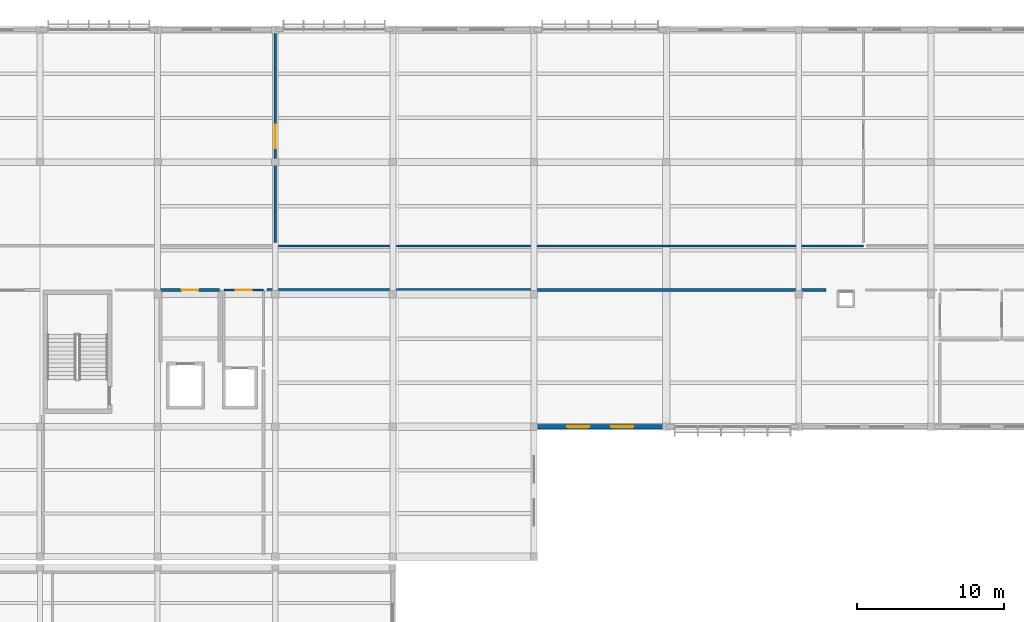
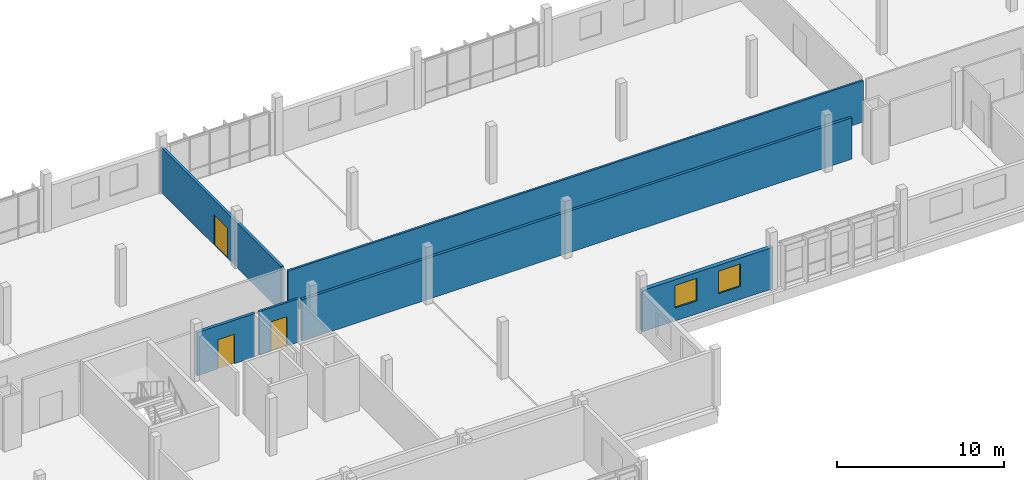
# One storey, part 168 of 182: 6 walls, 3 doors, 2 windows, 5 openings.
"""IFC4 building model written with IfcOpenShell, lengths in metres."""

from ifc_helpers import new_model, si_unit, direction, frame, frame_2d, origin, place, context, subcontext, project, spatial, rectangle, extrude, material, layer, layer_set, type_object, element, fill, save


model = new_model("IFC4")

# Units and contexts
model_context = context("Model", 3, precision=1e-05, world=origin(), true_north=direction((0.0, 1.0)))
body_context = subcontext(model_context, "Body", "Model", "MODEL_VIEW")
ifc_project = project(units=[si_unit("LENGTHUNIT", "METRE"), si_unit("AREAUNIT", "SQUARE_METRE"), si_unit("VOLUMEUNIT", "CUBIC_METRE"), si_unit("PLANEANGLEUNIT", "RADIAN"), si_unit("MASSUNIT", "GRAM", prefix="KILO")], contexts=[model_context])

# Site, building, storey
site_placement = place(None, origin())
site = spatial("IfcSite", under=ifc_project, at=site_placement, CompositionType="ELEMENT")
building_placement = place(site_placement, origin())
building = spatial("IfcBuilding", under=site, at=building_placement, Name="Chiffa Square Polytechnic", CompositionType="ELEMENT")
storey_placement = place(building_placement, frame((0.0, 0.0, 9.60009765625)))
storey = spatial("IfcBuildingStorey", under=building, at=storey_placement, Name="L02", CompositionType="ELEMENT", Elevation=9.60009765625)

# Wall, openings, windows
ifc_material_1 = material(Name="Precast concrete C40/50", Category="concrete")
ifc_layer_1 = layer(ifc_material_1, 0.280029296875, Name="Precast concrete C40/50")
ifc_layer_set_1 = layer_set([ifc_layer_1], Name="Precast concrete C40/50")
wall_type_1 = type_object("IfcWallType", Name="WL-EXT-PC280", PredefinedType="SOLIDWALL", material=ifc_layer_set_1)
wall_1_placement = place(storey_placement, frame((57.60009765625, 103.800048828125, 0.0), z_axis=(0.0, 0.0, 1.0), x_axis=(1.0, 0.0, 0.0)))
wall_1 = element("IfcWall", 1, at=wall_1_placement, inside=storey, type_object=wall_type_1, Name="Exterior wall WE-V5-L02-0295", PredefinedType="SOLIDWALL", context=body_context, shape_type="SweptSolid", body=[
    extrude(rectangle(XDim=9.0, YDim=0.280029296875, at=frame_2d((4.5, 0.0))), origin(), (0.0, 0.0, 1.0), 3.02490234375),
])
opening_1_placement = place(wall_1_placement, frame((2.25, 0.0, 0.949951171875)))
opening_1 = element("IfcOpeningElement", 2, at=opening_1_placement, cuts=wall_1, Name="Opening W-07", PredefinedType="OPENING", context=body_context, shape_type="SweptSolid", body=[
    extrude(rectangle(XDim=1.5, YDim=1.64990234375, at=frame_2d((0.75, 0.824951171875))), frame((0.0, 0.14990234375, 0.0), z_axis=(0.0, -1.0, 0.0), x_axis=(1.0, 0.0, 0.0)), (0.0, 0.0, 1.0), 0.300048828125),
])
opening_2_placement = place(wall_1_placement, frame((5.25, 0.0, 0.949951171875)))
opening_2 = element("IfcOpeningElement", 3, at=opening_2_placement, cuts=wall_1, Name="Opening W-07", PredefinedType="OPENING", context=body_context, shape_type="SweptSolid", body=[
    extrude(rectangle(XDim=1.5, YDim=1.64990234375, at=frame_2d((0.75, 0.824951171875))), frame((0.0, 0.14990234375, 0.0), z_axis=(0.0, -1.0, 0.0), x_axis=(1.0, 0.0, 0.0)), (0.0, 0.0, 1.0), 0.300048828125),
])
ifc_material_2 = material(Name="Double glazing in thermally broken aluminium frame", Category="aluminium")
window_type = type_object("IfcWindowType", Name="WIN-LAB-1500X1650", PartitioningType="DOUBLE_PANEL_VERTICAL", PredefinedType="WINDOW", material=ifc_material_2)
window_1_placement = place(opening_1_placement, origin())
window_1 = element("IfcWindow", 4, at=window_1_placement, inside=storey, type_object=window_type, Name="Facade window WN-L02-0188", OverallHeight=1.64990234375, OverallWidth=1.5, PartitioningType="DOUBLE_PANEL_VERTICAL", PredefinedType="WINDOW", context=body_context, shape_type="SweptSolid", body=[
    extrude(rectangle(XDim=1.5, YDim=1.64990234375, at=frame_2d((0.75, 0.824951171875))), frame((0.0, 0.030029296875, 0.0), z_axis=(0.0, -1.0, 0.0), x_axis=(1.0, 0.0, 0.0)), (0.0, 0.0, 1.0), 0.06005859375),
])
fill(opening_1, window_1)
window_2_placement = place(opening_2_placement, origin())
window_2 = element("IfcWindow", 5, at=window_2_placement, inside=storey, type_object=window_type, Name="Facade window WN-L02-0189", OverallHeight=1.64990234375, OverallWidth=1.5, PartitioningType="DOUBLE_PANEL_VERTICAL", PredefinedType="WINDOW", context=body_context, shape_type="SweptSolid", body=[
    extrude(rectangle(XDim=1.5, YDim=1.64990234375, at=frame_2d((0.75, 0.824951171875))), frame((0.0, 0.030029296875, 0.0), z_axis=(0.0, -1.0, 0.0), x_axis=(1.0, 0.0, 0.0)), (0.0, 0.0, 1.0), 0.06005859375),
])
fill(opening_2, window_2)

# Wall
ifc_material_3 = material(Name="Gypsum board on steel stud", Category="steel")
ifc_layer_2 = layer(ifc_material_3, 0.14501953125, Name="Gypsum board on steel stud")
ifc_layer_set_2 = layer_set([ifc_layer_2], Name="Gypsum board on steel stud")
wall_type_2 = type_object("IfcWallType", Name="WL-PART-145", PredefinedType="PARTITIONING", material=ifc_layer_set_2)
wall_2_placement = place(storey_placement, frame((40.219970703125, 116.10009765625, 0.0), z_axis=(0.0, 0.0, 1.0), x_axis=(1.0, 0.0, 0.0)))
element("IfcWall", 6, at=wall_2_placement, inside=storey, type_object=wall_type_2, Name="Interior partition WP-V5-L02-0477", PredefinedType="PARTITIONING", context=body_context, shape_type="SweptSolid", body=[
    extrude(rectangle(XDim=39.780029296875, YDim=0.14501953125, at=frame_2d((19.89013671875, 0.0))), origin(), (0.0, 0.0, 1.0), 3.02490234375),
])

# Wall, opening, door
ifc_material_4 = material(Name="Autoclaved aerated concrete blockwork", Category="masonry")
ifc_layer_3 = layer(ifc_material_4, 0.199951171875, Name="Autoclaved aerated concrete blockwork")
ifc_layer_set_3 = layer_set([ifc_layer_3], Name="Autoclaved aerated concrete blockwork")
wall_type_3 = type_object("IfcWallType", Name="WL-PART-EI120-200", PredefinedType="PARTITIONING", material=ifc_layer_set_3)
wall_3_placement = place(storey_placement, frame((32.199951171875, 113.10009765625, 0.0), z_axis=(0.0, 0.0, 1.0), x_axis=(1.0, 0.0, 0.0)))
wall_3 = element("IfcWall", 7, at=wall_3_placement, inside=storey, type_object=wall_type_3, Name="Lift lobby rated enclosure WP-LOB-LF-V5-L02-NORTH", PredefinedType="PARTITIONING", context=body_context, shape_type="SweptSolid", body=[
    extrude(rectangle(XDim=4.0, YDim=0.199951171875, at=frame_2d((2.0, 0.0))), origin(), (0.0, 0.0, 1.0), 3.1748046875),
])
opening_3_placement = place(wall_3_placement, frame((1.425048828125, 0.0, 0.0)))
opening_3 = element("IfcOpeningElement", 8, at=opening_3_placement, cuts=wall_3, Name="Opening DI-L02-035", PredefinedType="OPENING", context=body_context, shape_type="SweptSolid", body=[
    extrude(rectangle(XDim=1.14990234375, YDim=2.14990234375, at=frame_2d((0.574951171875, 1.074951171875))), frame((0.0, 0.10986328125, 0.0), z_axis=(0.0, -1.0, 0.0), x_axis=(1.0, 0.0, 0.0)), (0.0, 0.0, 1.0), 0.219970703125),
])
ifc_material_5 = material(Name="Fire-rated steel door leaf", Category="steel")
door_type_1 = type_object("IfcDoorType", Name="DR-LOBBY-FD120", OperationType="NOTDEFINED", PredefinedType="DOOR", material=ifc_material_5)
door_1_placement = place(opening_3_placement, origin())
door_1 = element("IfcDoor", 9, at=door_1_placement, inside=storey, type_object=door_type_1, Name="Lift lobby fire door DI-L02-035", OperationType="SINGLE_SWING_RIGHT", OverallHeight=2.14990234375, OverallWidth=1.14990234375, PredefinedType="DOOR", context=body_context, shape_type="SweptSolid", body=[
    extrude(rectangle(XDim=1.14990234375, YDim=2.14990234375, at=frame_2d((0.574951171875, 1.074951171875))), frame((0.0, 0.02490234375, 0.0), z_axis=(0.0, -1.0, 0.0), x_axis=(1.0, 0.0, 0.0)), (0.0, 0.0, 1.0), 0.050048828125),
])
fill(opening_3, door_1)

ifc_material_6 = material(Name="Gypsum board on acoustic steel stud", Category="steel")
ifc_layer_4 = layer(ifc_material_6, 0.159912109375, Name="Gypsum board on acoustic steel stud")
ifc_layer_set_4 = layer_set([ifc_layer_4], Name="Gypsum board on acoustic steel stud")
wall_type_4 = type_object("IfcWallType", Name="WL-PART-EI60-160", PredefinedType="PARTITIONING", material=ifc_layer_set_4)
wall_4_placement = place(storey_placement, frame((36.5, 113.10009765625, 0.0), z_axis=(0.0, 0.0, 1.0), x_axis=(1.0, 0.0, 0.0)))
wall_4 = element("IfcWall", 10, at=wall_4_placement, inside=storey, type_object=wall_type_4, Name="Lift lobby rated enclosure WP-LOB-LP-V5A-L02-NORTH", PredefinedType="PARTITIONING", context=body_context, shape_type="SweptSolid", body=[
    extrude(rectangle(XDim=2.699951171875, YDim=0.159912109375, at=frame_2d((1.35009765625, 0.0))), origin(), (0.0, 0.0, 1.0), 3.1748046875),
])
opening_4_placement = place(wall_4_placement, frame((0.800048828125, 0.0, 0.0)))
opening_4 = element("IfcOpeningElement", 11, at=opening_4_placement, cuts=wall_4, Name="Opening DI-L02-041", PredefinedType="OPENING", context=body_context, shape_type="SweptSolid", body=[
    extrude(rectangle(XDim=1.10009765625, YDim=2.14990234375, at=frame_2d((0.550048828125, 1.074951171875))), frame((0.0, 0.08984375, 0.0), z_axis=(0.0, -1.0, 0.0), x_axis=(1.0, 0.0, 0.0)), (0.0, 0.0, 1.0), 0.179931640625),
])
ifc_material_7 = material(Name="Solid core ash veneer door")
door_type_2 = type_object("IfcDoorType", Name="DR-INT-1100", OperationType="NOTDEFINED", PredefinedType="DOOR", material=ifc_material_7)
door_2_placement = place(opening_4_placement, origin())
door_2 = element("IfcDoor", 12, at=door_2_placement, inside=storey, type_object=door_type_2, Name="Lift lobby fire door DI-L02-041", OperationType="SINGLE_SWING_RIGHT", OverallHeight=2.14990234375, OverallWidth=1.10009765625, PredefinedType="DOOR", context=body_context, shape_type="SweptSolid", body=[
    extrude(rectangle(XDim=1.10009765625, YDim=2.14990234375, at=frame_2d((0.550048828125, 1.074951171875))), frame((0.0, 0.02490234375, 0.0), z_axis=(0.0, -1.0, 0.0), x_axis=(1.0, 0.0, 0.0)), (0.0, 0.0, 1.0), 0.050048828125),
])
fill(opening_4, door_2)

# Wall
ifc_material_8 = material(Name="Gypsum board on twin steel stud", Category="steel")
ifc_layer_5 = layer(ifc_material_8, 0.18505859375, Name="Gypsum board on twin steel stud")
ifc_layer_set_5 = layer_set([ifc_layer_5], Name="Gypsum board on twin steel stud")
wall_type_5 = type_object("IfcWallType", Name="WL-PART-EI90-185", PredefinedType="PARTITIONING", material=ifc_layer_set_5)
wall_5_placement = place(storey_placement, frame((39.43994140625, 113.10009765625, 0.0), z_axis=(0.0, 0.0, 1.0), x_axis=(1.0, 0.0, 0.0)))
element("IfcWall", 13, at=wall_5_placement, inside=storey, type_object=wall_type_5, Name="Interior partition WP-V5-L02-0472", PredefinedType="PARTITIONING", context=body_context, shape_type="SweptSolid", body=[
    extrude(rectangle(XDim=38.01416015625, YDim=0.18505859375, at=frame_2d((19.007080078125, 0.0))), origin(), (0.0, 0.0, 1.0), 3.02490234375),
])

# Wall, opening, door
wall_6_placement = place(storey_placement, frame((40.0, 116.320068359375, 0.0), z_axis=(0.0, 0.0, 1.0), x_axis=(0.0, 1.0, 0.0)))
wall_6 = element("IfcWall", 14, at=wall_6_placement, inside=storey, type_object=wall_type_5, Name="Interior partition WP-V5-L02-0476", PredefinedType="PARTITIONING", context=body_context, shape_type="SweptSolid", body=[
    extrude(rectangle(XDim=14.425048828125, YDim=0.18505859375, at=frame_2d((7.21240234375, 0.0))), origin(), (0.0, 0.0, 1.0), 3.27490234375),
])
opening_5_placement = place(wall_6_placement, frame((6.4130859375, 0.0, 0.0)))
opening_5 = element("IfcOpeningElement", 15, at=opening_5_placement, cuts=wall_6, Name="Opening DI-L02-186", PredefinedType="OPENING", context=body_context, shape_type="SweptSolid", body=[
    extrude(rectangle(XDim=1.60009765625, YDim=2.199951171875, at=frame_2d((0.800048828125, 1.10009765625))), frame((0.0, 0.1025390625, 0.0), z_axis=(0.0, -1.0, 0.0), x_axis=(1.0, 0.0, 0.0)), (0.0, 0.0, 1.0), 0.205078125),
])
ifc_material_9 = material(Name="Vision-panel timber laboratory door", Category="wood")
door_type_3 = type_object("IfcDoorType", Name="DR-LAB-DBL-1600", OperationType="DOUBLE_DOOR_SINGLE_SWING", PredefinedType="DOOR", material=ifc_material_9)
door_3_placement = place(opening_5_placement, origin())
door_3 = element("IfcDoor", 16, at=door_3_placement, inside=storey, type_object=door_type_3, Name="Interior room door DI-L02-186", OperationType="DOUBLE_DOOR_SINGLE_SWING", OverallHeight=2.199951171875, OverallWidth=1.60009765625, PredefinedType="DOOR", context=body_context, shape_type="SweptSolid", body=[
    extrude(rectangle(XDim=1.60009765625, YDim=2.199951171875, at=frame_2d((0.800048828125, 1.10009765625))), frame((0.0, 0.02490234375, 0.0), z_axis=(0.0, -1.0, 0.0), x_axis=(1.0, 0.0, 0.0)), (0.0, 0.0, 1.0), 0.050048828125),
])
fill(opening_5, door_3)

save(model, "model.ifc")
